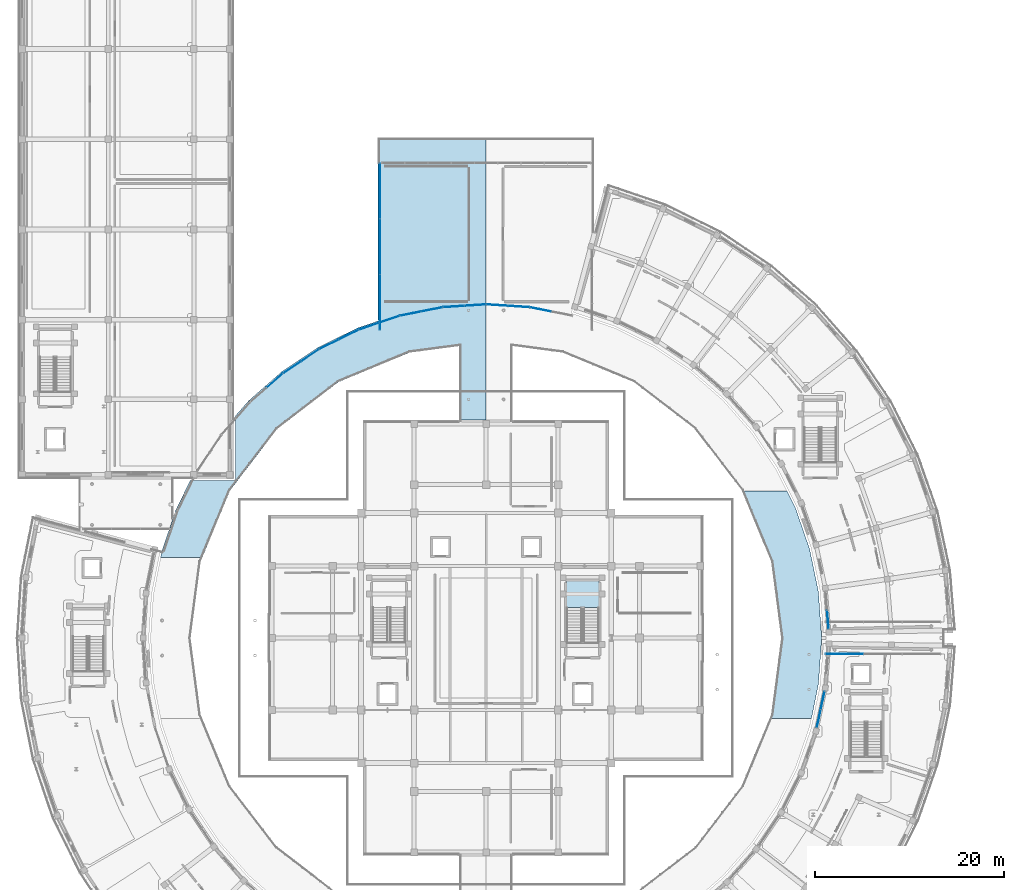
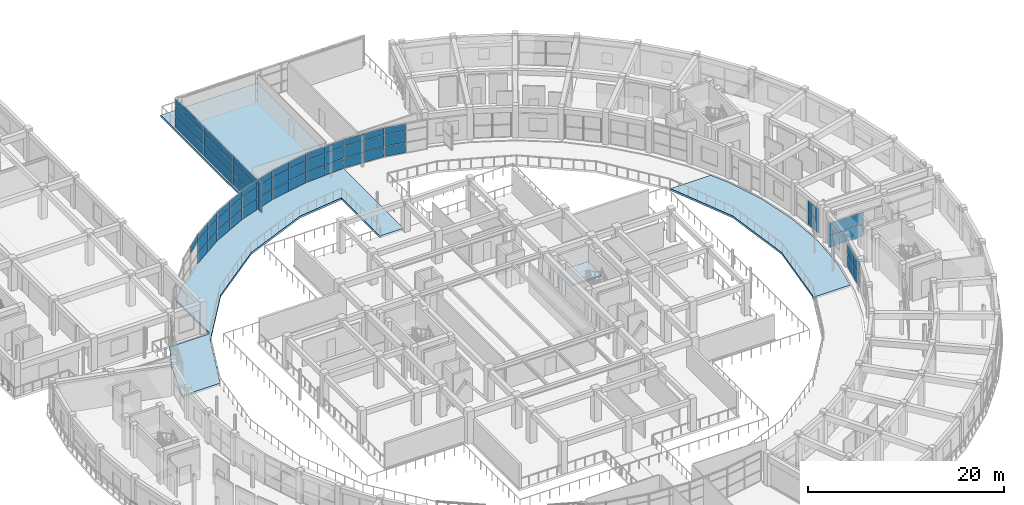
# One storey, part 48 of 83: 57 plates, 3 slabs, 13 elements without a shape of their own.
"""IFC4 building model written with IfcOpenShell, lengths in metres."""

from ifc_helpers import new_model, si_unit, direction, frame, origin, origin_2d, place, context, subcontext, project, spatial, polyline, rectangle, outline, extrude, material, layer, layer_set, type_object, element, aggregate, save


model = new_model("IFC4")

# Units and contexts
model_context = context("Model", 3, precision=1e-05, world=origin(), true_north=direction((0.0, 1.0)))
body_context = subcontext(model_context, "Body", "Model", "MODEL_VIEW")
ifc_project = project(units=[si_unit("LENGTHUNIT", "METRE"), si_unit("AREAUNIT", "SQUARE_METRE"), si_unit("VOLUMEUNIT", "CUBIC_METRE"), si_unit("PLANEANGLEUNIT", "RADIAN"), si_unit("MASSUNIT", "GRAM", prefix="KILO")], contexts=[model_context])

# Site, building, storey
site_placement = place(None, origin())
site = spatial("IfcSite", under=ifc_project, at=site_placement, CompositionType="ELEMENT")
building_placement = place(site_placement, origin())
building = spatial("IfcBuilding", under=site, at=building_placement, Name="Saryqyr Civic Hall", CompositionType="ELEMENT")
storey_placement = place(building_placement, frame((0.0, 0.0, 9.14990234375)))
storey = spatial("IfcBuildingStorey", under=building, at=storey_placement, Name="L02", CompositionType="ELEMENT", Elevation=9.14990234375)

# Curtain wall, plates
ifc_material_1 = material(Name="Anodised aluminium and triple low-E glass", Category="aluminium")
curtain_wall_type_1 = type_object("IfcCurtainWallType", Name="ENV-CW-STD-21", PredefinedType="NOTDEFINED", material=ifc_material_1)
curtain_wall_1_placement = place(storey_placement, origin())
curtain_wall_1 = element("IfcCurtainWall", 1, at=curtain_wall_1_placement, inside=storey, type_object=curtain_wall_type_1, Name="Curtain wall V5-CWI-L02-08", PredefinedType="NOTDEFINED")
ifc_material_2 = material(Name="Triple low-E insulated glazing", Category="glass")
ifc_layer_1 = layer(ifc_material_2, 0.053955078125, Name="Triple low-E insulated glazing")
ifc_layer_set_1 = layer_set([ifc_layer_1], Name="Triple low-E insulated glazing")
plate_type = type_object("IfcPlateType", Name="ENV-CW-PNL-38", PredefinedType="CURTAIN_PANEL", material=ifc_layer_set_1)
plate_1_placement = place(storey_placement, frame((92.122802734375, 75.49560546875, 0.06005859375), z_axis=(0.0, 0.0, 1.0), x_axis=(0.208899296688, 0.97793715741, 0.0)))
plate_1 = element("IfcPlate", 2, at=plate_1_placement, type_object=plate_type, Name="CW-21 panel 1.1", PredefinedType="CURTAIN_PANEL", context=body_context, shape_type="SweptSolid", body=[
    extrude(rectangle(XDim=1.89990234375, YDim=0.053955078125, at=origin_2d()), origin(), (0.0, 0.0, 1.0), 1.491943359375),
])
plate_2_placement = place(storey_placement, frame((92.122802734375, 75.49560546875, 1.6123046875), z_axis=(0.0, 0.0, 1.0), x_axis=(0.208899296688, 0.97793715741, 0.0)))
plate_2 = element("IfcPlate", 3, at=plate_2_placement, type_object=plate_type, Name="CW-21 panel 1.2", PredefinedType="CURTAIN_PANEL", context=body_context, shape_type="SweptSolid", body=[
    extrude(rectangle(XDim=1.89990234375, YDim=0.053955078125, at=origin_2d()), origin(), (0.0, 0.0, 1.0), 1.492919921875),
])
plate_3_placement = place(storey_placement, frame((92.5322265625, 77.412109375, 0.06005859375), z_axis=(0.0, 0.0, 1.0), x_axis=(0.208899296688, 0.97793715741, 0.0)))
plate_3 = element("IfcPlate", 4, at=plate_3_placement, type_object=plate_type, Name="CW-21 panel 2.1", PredefinedType="CURTAIN_PANEL", context=body_context, shape_type="SweptSolid", body=[
    extrude(rectangle(XDim=1.89990234375, YDim=0.053955078125, at=origin_2d()), origin(), (0.0, 0.0, 1.0), 1.491943359375),
])
plate_4_placement = place(storey_placement, frame((92.5322265625, 77.412109375, 1.6123046875), z_axis=(0.0, 0.0, 1.0), x_axis=(0.208899296688, 0.97793715741, 0.0)))
plate_4 = element("IfcPlate", 5, at=plate_4_placement, type_object=plate_type, Name="CW-21 panel 2.2", PredefinedType="CURTAIN_PANEL", context=body_context, shape_type="SweptSolid", body=[
    extrude(rectangle(XDim=1.89990234375, YDim=0.053955078125, at=origin_2d()), origin(), (0.0, 0.0, 1.0), 1.492919921875),
])
aggregate(curtain_wall_1, [plate_1, plate_2, plate_3, plate_4])

curtain_wall_2_placement = place(storey_placement, origin())
curtain_wall_2 = element("IfcCurtainWall", 6, at=curtain_wall_2_placement, inside=storey, type_object=curtain_wall_type_1, Name="Curtain wall V6-CWI-L02-00", PredefinedType="NOTDEFINED")
plate_5_placement = place(storey_placement, frame((93.085205078125, 85.9501953125, 0.06005859375), z_axis=(0.0, 0.0, 1.0), x_axis=(-0.081090889978, 0.996706710905, 0.0)))
plate_5 = element("IfcPlate", 7, at=plate_5_placement, type_object=plate_type, Name="CW-21 panel 1.1", PredefinedType="CURTAIN_PANEL", context=body_context, shape_type="SweptSolid", body=[
    extrude(rectangle(XDim=1.906494140625, YDim=0.053955078125, at=origin_2d()), origin(), (0.0, 0.0, 1.0), 1.491943359375),
])
plate_6_placement = place(storey_placement, frame((93.085205078125, 85.9501953125, 1.6123046875), z_axis=(0.0, 0.0, 1.0), x_axis=(-0.081090889978, 0.996706710905, 0.0)))
plate_6 = element("IfcPlate", 8, at=plate_6_placement, type_object=plate_type, Name="CW-21 panel 1.2", PredefinedType="CURTAIN_PANEL", context=body_context, shape_type="SweptSolid", body=[
    extrude(rectangle(XDim=1.906494140625, YDim=0.053955078125, at=origin_2d()), origin(), (0.0, 0.0, 1.0), 1.492919921875),
])
aggregate(curtain_wall_2, [plate_5, plate_6])

curtain_wall_type_2 = type_object("IfcCurtainWallType", Name="ENV-CW-STD-72", PredefinedType="NOTDEFINED", material=ifc_material_1)
curtain_wall_3_placement = place(storey_placement, origin())
curtain_wall_3 = element("IfcCurtainWall", 9, at=curtain_wall_3_placement, inside=storey, type_object=curtain_wall_type_2, Name="Curtain wall V2-VESTFLK-NW-L02", PredefinedType="NOTDEFINED")
plate_7_placement = place(storey_placement, frame((45.800048828125, 119.456787109375, 0.06005859375), z_axis=(0.0, 0.0, 1.0), x_axis=(0.0, 1.0, 0.0)))
plate_7 = element("IfcPlate", 10, at=plate_7_placement, type_object=plate_type, Name="CW-72 panel 1.1", PredefinedType="CURTAIN_PANEL", context=body_context, shape_type="SweptSolid", body=[
    extrude(rectangle(XDim=5.793212890625, YDim=0.053955078125, at=origin_2d()), origin(), (0.0, 0.0, 1.0), 1.241943359375),
])
plate_8_placement = place(storey_placement, frame((45.800048828125, 119.456787109375, 1.362060546875), z_axis=(0.0, 0.0, 1.0), x_axis=(0.0, 1.0, 0.0)))
plate_8 = element("IfcPlate", 11, at=plate_8_placement, type_object=plate_type, Name="CW-72 panel 1.2", PredefinedType="CURTAIN_PANEL", context=body_context, shape_type="SweptSolid", body=[
    extrude(rectangle(XDim=5.793212890625, YDim=0.053955078125, at=origin_2d()), origin(), (0.0, 0.0, 1.0), 1.419921875),
])
plate_9_placement = place(storey_placement, frame((45.800048828125, 119.456787109375, 2.84228515625), z_axis=(0.0, 0.0, 1.0), x_axis=(0.0, 1.0, 0.0)))
plate_9 = element("IfcPlate", 12, at=plate_9_placement, type_object=plate_type, Name="CW-72 panel 1.3", PredefinedType="CURTAIN_PANEL", context=body_context, shape_type="SweptSolid", body=[
    extrude(rectangle(XDim=5.793212890625, YDim=0.053955078125, at=origin_2d()), origin(), (0.0, 0.0, 1.0), 0.798095703125),
])
plate_10_placement = place(storey_placement, frame((45.800048828125, 125.324951171875, 0.06005859375), z_axis=(0.0, 0.0, 1.0), x_axis=(0.0, 1.0, 0.0)))
plate_10 = element("IfcPlate", 13, at=plate_10_placement, type_object=plate_type, Name="CW-72 panel 2.1", PredefinedType="CURTAIN_PANEL", context=body_context, shape_type="SweptSolid", body=[
    extrude(rectangle(XDim=5.8232421875, YDim=0.053955078125, at=origin_2d()), origin(), (0.0, 0.0, 1.0), 1.241943359375),
])
plate_11_placement = place(storey_placement, frame((45.800048828125, 125.324951171875, 1.362060546875), z_axis=(0.0, 0.0, 1.0), x_axis=(0.0, 1.0, 0.0)))
plate_11 = element("IfcPlate", 14, at=plate_11_placement, type_object=plate_type, Name="CW-72 panel 2.2", PredefinedType="CURTAIN_PANEL", context=body_context, shape_type="SweptSolid", body=[
    extrude(rectangle(XDim=5.8232421875, YDim=0.053955078125, at=origin_2d()), origin(), (0.0, 0.0, 1.0), 1.419921875),
])
plate_12_placement = place(storey_placement, frame((45.800048828125, 125.324951171875, 2.84228515625), z_axis=(0.0, 0.0, 1.0), x_axis=(0.0, 1.0, 0.0)))
plate_12 = element("IfcPlate", 15, at=plate_12_placement, type_object=plate_type, Name="CW-72 panel 2.3", PredefinedType="CURTAIN_PANEL", context=body_context, shape_type="SweptSolid", body=[
    extrude(rectangle(XDim=5.8232421875, YDim=0.053955078125, at=origin_2d()), origin(), (0.0, 0.0, 1.0), 0.798095703125),
])
plate_13_placement = place(storey_placement, frame((45.800048828125, 131.193359375, 0.06005859375), z_axis=(0.0, 0.0, 1.0), x_axis=(0.0, 1.0, 0.0)))
plate_13 = element("IfcPlate", 16, at=plate_13_placement, type_object=plate_type, Name="CW-72 panel 3.1", PredefinedType="CURTAIN_PANEL", context=body_context, shape_type="SweptSolid", body=[
    extrude(rectangle(XDim=5.793212890625, YDim=0.053955078125, at=origin_2d()), origin(), (0.0, 0.0, 1.0), 1.241943359375),
])
plate_14_placement = place(storey_placement, frame((45.800048828125, 131.193359375, 1.362060546875), z_axis=(0.0, 0.0, 1.0), x_axis=(0.0, 1.0, 0.0)))
plate_14 = element("IfcPlate", 17, at=plate_14_placement, type_object=plate_type, Name="CW-72 panel 3.2", PredefinedType="CURTAIN_PANEL", context=body_context, shape_type="SweptSolid", body=[
    extrude(rectangle(XDim=5.793212890625, YDim=0.053955078125, at=origin_2d()), origin(), (0.0, 0.0, 1.0), 1.419921875),
])
plate_15_placement = place(storey_placement, frame((45.800048828125, 131.193359375, 2.84228515625), z_axis=(0.0, 0.0, 1.0), x_axis=(0.0, 1.0, 0.0)))
plate_15 = element("IfcPlate", 18, at=plate_15_placement, type_object=plate_type, Name="CW-72 panel 3.3", PredefinedType="CURTAIN_PANEL", context=body_context, shape_type="SweptSolid", body=[
    extrude(rectangle(XDim=5.793212890625, YDim=0.053955078125, at=origin_2d()), origin(), (0.0, 0.0, 1.0), 0.798095703125),
])
aggregate(curtain_wall_3, [plate_7, plate_8, plate_9, plate_10, plate_11, plate_12, plate_13, plate_14, plate_15])

curtain_wall_type_3 = type_object("IfcCurtainWallType", Name="ENV-CW-STD-74", PredefinedType="NOTDEFINED", material=ifc_material_1)
curtain_wall_4_placement = place(storey_placement, origin())
curtain_wall_4 = element("IfcCurtainWall", 19, at=curtain_wall_4_placement, inside=storey, type_object=curtain_wall_type_3, Name="Curtain wall V2-PERIM-CW-L02-10", PredefinedType="NOTDEFINED")
plate_16_placement = place(storey_placement, frame((62.741455078125, 118.691162109375, 0.06005859375), z_axis=(0.0, 0.0, 1.0), x_axis=(0.980784679507, -0.195093342902, 0.0)))
plate_16 = element("IfcPlate", 20, at=plate_16_placement, type_object=plate_type, Name="CW-74 panel 1.1", PredefinedType="CURTAIN_PANEL", context=body_context, shape_type="SweptSolid", body=[
    extrude(rectangle(XDim=2.213623046875, YDim=0.053955078125, at=origin_2d()), origin(), (0.0, 0.0, 1.0), 1.241943359375),
])
plate_17_placement = place(storey_placement, frame((62.741455078125, 118.691162109375, 1.362060546875), z_axis=(0.0, 0.0, 1.0), x_axis=(0.980784679507, -0.195093342902, 0.0)))
plate_17 = element("IfcPlate", 21, at=plate_17_placement, type_object=plate_type, Name="CW-74 panel 1.2", PredefinedType="CURTAIN_PANEL", context=body_context, shape_type="SweptSolid", body=[
    extrude(rectangle(XDim=2.213623046875, YDim=0.053955078125, at=origin_2d()), origin(), (0.0, 0.0, 1.0), 1.419921875),
])
plate_18_placement = place(storey_placement, frame((62.741455078125, 118.691162109375, 2.84228515625), z_axis=(0.0, 0.0, 1.0), x_axis=(0.980784679507, -0.195093342902, 0.0)))
plate_18 = element("IfcPlate", 22, at=plate_18_placement, type_object=plate_type, Name="CW-74 panel 1.3", PredefinedType="CURTAIN_PANEL", context=body_context, shape_type="SweptSolid", body=[
    extrude(rectangle(XDim=2.213623046875, YDim=0.053955078125, at=origin_2d()), origin(), (0.0, 0.0, 1.0), 0.798095703125),
])
aggregate(curtain_wall_4, [plate_16, plate_17, plate_18])

curtain_wall_5_placement = place(storey_placement, origin())
curtain_wall_5 = element("IfcCurtainWall", 23, at=curtain_wall_5_placement, inside=storey, type_object=curtain_wall_type_3, Name="Curtain wall V2-PERIM-CW-L02-11", PredefinedType="NOTDEFINED")
plate_19_placement = place(storey_placement, frame((58.164306640625, 119.143798828125, 0.06005859375), z_axis=(0.0, 0.0, 1.0), x_axis=(0.997859062814, -0.065400999681, 0.0)))
plate_19 = element("IfcPlate", 24, at=plate_19_placement, type_object=plate_type, Name="CW-74 panel 1.1", PredefinedType="CURTAIN_PANEL", context=body_context, shape_type="SweptSolid", body=[
    extrude(rectangle(XDim=2.21337890625, YDim=0.053955078125, at=origin_2d()), origin(), (0.0, 0.0, 1.0), 1.241943359375),
])
plate_20_placement = place(storey_placement, frame((58.164306640625, 119.143798828125, 1.362060546875), z_axis=(0.0, 0.0, 1.0), x_axis=(0.997859062814, -0.065400999681, 0.0)))
plate_20 = element("IfcPlate", 25, at=plate_20_placement, type_object=plate_type, Name="CW-74 panel 1.2", PredefinedType="CURTAIN_PANEL", context=body_context, shape_type="SweptSolid", body=[
    extrude(rectangle(XDim=2.21337890625, YDim=0.053955078125, at=origin_2d()), origin(), (0.0, 0.0, 1.0), 1.419921875),
])
plate_21_placement = place(storey_placement, frame((58.164306640625, 119.143798828125, 2.84228515625), z_axis=(0.0, 0.0, 1.0), x_axis=(0.997859062814, -0.065400999681, 0.0)))
plate_21 = element("IfcPlate", 26, at=plate_21_placement, type_object=plate_type, Name="CW-74 panel 1.3", PredefinedType="CURTAIN_PANEL", context=body_context, shape_type="SweptSolid", body=[
    extrude(rectangle(XDim=2.21337890625, YDim=0.053955078125, at=origin_2d()), origin(), (0.0, 0.0, 1.0), 0.798095703125),
])
plate_22_placement = place(storey_placement, frame((60.432861328125, 118.9951171875, 0.06005859375), z_axis=(0.0, 0.0, 1.0), x_axis=(0.997859062814, -0.065400999681, 0.0)))
plate_22 = element("IfcPlate", 27, at=plate_22_placement, type_object=plate_type, Name="CW-74 panel 2.1", PredefinedType="CURTAIN_PANEL", context=body_context, shape_type="SweptSolid", body=[
    extrude(rectangle(XDim=2.21337890625, YDim=0.053955078125, at=origin_2d()), origin(), (0.0, 0.0, 1.0), 1.241943359375),
])
plate_23_placement = place(storey_placement, frame((60.432861328125, 118.9951171875, 1.362060546875), z_axis=(0.0, 0.0, 1.0), x_axis=(0.997859062814, -0.065400999681, 0.0)))
plate_23 = element("IfcPlate", 28, at=plate_23_placement, type_object=plate_type, Name="CW-74 panel 2.2", PredefinedType="CURTAIN_PANEL", context=body_context, shape_type="SweptSolid", body=[
    extrude(rectangle(XDim=2.21337890625, YDim=0.053955078125, at=origin_2d()), origin(), (0.0, 0.0, 1.0), 1.419921875),
])
plate_24_placement = place(storey_placement, frame((60.432861328125, 118.9951171875, 2.84228515625), z_axis=(0.0, 0.0, 1.0), x_axis=(0.997859062814, -0.065400999681, 0.0)))
plate_24 = element("IfcPlate", 29, at=plate_24_placement, type_object=plate_type, Name="CW-74 panel 2.3", PredefinedType="CURTAIN_PANEL", context=body_context, shape_type="SweptSolid", body=[
    extrude(rectangle(XDim=2.21337890625, YDim=0.053955078125, at=origin_2d()), origin(), (0.0, 0.0, 1.0), 0.798095703125),
])
aggregate(curtain_wall_5, [plate_19, plate_20, plate_21, plate_22, plate_23, plate_24])

curtain_wall_6_placement = place(storey_placement, origin())
curtain_wall_6 = element("IfcCurtainWall", 30, at=curtain_wall_6_placement, inside=storey, type_object=curtain_wall_type_3, Name="Curtain wall V2-PERIM-CW-L02-12", PredefinedType="NOTDEFINED")
plate_25_placement = place(storey_placement, frame((53.567138671875, 118.9951171875, 0.06005859375), z_axis=(0.0, 0.0, 1.0), x_axis=(0.997859062814, 0.065400999681, 0.0)))
plate_25 = element("IfcPlate", 31, at=plate_25_placement, type_object=plate_type, Name="CW-74 panel 1.1", PredefinedType="CURTAIN_PANEL", context=body_context, shape_type="SweptSolid", body=[
    extrude(rectangle(XDim=2.21337890625, YDim=0.053955078125, at=origin_2d()), origin(), (0.0, 0.0, 1.0), 1.241943359375),
])
plate_26_placement = place(storey_placement, frame((53.567138671875, 118.9951171875, 1.362060546875), z_axis=(0.0, 0.0, 1.0), x_axis=(0.997859062814, 0.065400999681, 0.0)))
plate_26 = element("IfcPlate", 32, at=plate_26_placement, type_object=plate_type, Name="CW-74 panel 1.2", PredefinedType="CURTAIN_PANEL", context=body_context, shape_type="SweptSolid", body=[
    extrude(rectangle(XDim=2.21337890625, YDim=0.053955078125, at=origin_2d()), origin(), (0.0, 0.0, 1.0), 1.419921875),
])
plate_27_placement = place(storey_placement, frame((53.567138671875, 118.9951171875, 2.84228515625), z_axis=(0.0, 0.0, 1.0), x_axis=(0.997859062814, 0.065400999681, 0.0)))
plate_27 = element("IfcPlate", 33, at=plate_27_placement, type_object=plate_type, Name="CW-74 panel 1.3", PredefinedType="CURTAIN_PANEL", context=body_context, shape_type="SweptSolid", body=[
    extrude(rectangle(XDim=2.21337890625, YDim=0.053955078125, at=origin_2d()), origin(), (0.0, 0.0, 1.0), 0.798095703125),
])
plate_28_placement = place(storey_placement, frame((55.835693359375, 119.143798828125, 0.06005859375), z_axis=(0.0, 0.0, 1.0), x_axis=(0.997859062814, 0.065400999681, 0.0)))
plate_28 = element("IfcPlate", 34, at=plate_28_placement, type_object=plate_type, Name="CW-74 panel 2.1", PredefinedType="CURTAIN_PANEL", context=body_context, shape_type="SweptSolid", body=[
    extrude(rectangle(XDim=2.21337890625, YDim=0.053955078125, at=origin_2d()), origin(), (0.0, 0.0, 1.0), 1.241943359375),
])
plate_29_placement = place(storey_placement, frame((55.835693359375, 119.143798828125, 1.362060546875), z_axis=(0.0, 0.0, 1.0), x_axis=(0.997859062814, 0.065400999681, 0.0)))
plate_29 = element("IfcPlate", 35, at=plate_29_placement, type_object=plate_type, Name="CW-74 panel 2.2", PredefinedType="CURTAIN_PANEL", context=body_context, shape_type="SweptSolid", body=[
    extrude(rectangle(XDim=2.21337890625, YDim=0.053955078125, at=origin_2d()), origin(), (0.0, 0.0, 1.0), 1.419921875),
])
plate_30_placement = place(storey_placement, frame((55.835693359375, 119.143798828125, 2.84228515625), z_axis=(0.0, 0.0, 1.0), x_axis=(0.997859062814, 0.065400999681, 0.0)))
plate_30 = element("IfcPlate", 36, at=plate_30_placement, type_object=plate_type, Name="CW-74 panel 2.3", PredefinedType="CURTAIN_PANEL", context=body_context, shape_type="SweptSolid", body=[
    extrude(rectangle(XDim=2.21337890625, YDim=0.053955078125, at=origin_2d()), origin(), (0.0, 0.0, 1.0), 0.798095703125),
])
aggregate(curtain_wall_6, [plate_25, plate_26, plate_27, plate_28, plate_29, plate_30])

curtain_wall_7_placement = place(storey_placement, origin())
curtain_wall_7 = element("IfcCurtainWall", 37, at=curtain_wall_7_placement, inside=storey, type_object=curtain_wall_type_3, Name="Curtain wall V2-PERIM-CW-L02-13", PredefinedType="NOTDEFINED")
plate_31_placement = place(storey_placement, frame((49.02880859375, 118.24755859375, 0.06005859375), z_axis=(0.0, 0.0, 1.0), x_axis=(0.980784679507, 0.195093342902, 0.0)))
plate_31 = element("IfcPlate", 38, at=plate_31_placement, type_object=plate_type, Name="CW-74 panel 1.1", PredefinedType="CURTAIN_PANEL", context=body_context, shape_type="SweptSolid", body=[
    extrude(rectangle(XDim=2.213623046875, YDim=0.053955078125, at=origin_2d()), origin(), (0.0, 0.0, 1.0), 1.241943359375),
])
plate_32_placement = place(storey_placement, frame((49.02880859375, 118.24755859375, 1.362060546875), z_axis=(0.0, 0.0, 1.0), x_axis=(0.980784679507, 0.195093342902, 0.0)))
plate_32 = element("IfcPlate", 39, at=plate_32_placement, type_object=plate_type, Name="CW-74 panel 1.2", PredefinedType="CURTAIN_PANEL", context=body_context, shape_type="SweptSolid", body=[
    extrude(rectangle(XDim=2.213623046875, YDim=0.053955078125, at=origin_2d()), origin(), (0.0, 0.0, 1.0), 1.419921875),
])
plate_33_placement = place(storey_placement, frame((49.02880859375, 118.24755859375, 2.84228515625), z_axis=(0.0, 0.0, 1.0), x_axis=(0.980784679507, 0.195093342902, 0.0)))
plate_33 = element("IfcPlate", 40, at=plate_33_placement, type_object=plate_type, Name="CW-74 panel 1.3", PredefinedType="CURTAIN_PANEL", context=body_context, shape_type="SweptSolid", body=[
    extrude(rectangle(XDim=2.213623046875, YDim=0.053955078125, at=origin_2d()), origin(), (0.0, 0.0, 1.0), 0.798095703125),
])
plate_34_placement = place(storey_placement, frame((51.258544921875, 118.691162109375, 0.06005859375), z_axis=(0.0, 0.0, 1.0), x_axis=(0.980784679507, 0.195093342902, 0.0)))
plate_34 = element("IfcPlate", 41, at=plate_34_placement, type_object=plate_type, Name="CW-74 panel 2.1", PredefinedType="CURTAIN_PANEL", context=body_context, shape_type="SweptSolid", body=[
    extrude(rectangle(XDim=2.213623046875, YDim=0.053955078125, at=origin_2d()), origin(), (0.0, 0.0, 1.0), 1.241943359375),
])
plate_35_placement = place(storey_placement, frame((51.258544921875, 118.691162109375, 1.362060546875), z_axis=(0.0, 0.0, 1.0), x_axis=(0.980784679507, 0.195093342902, 0.0)))
plate_35 = element("IfcPlate", 42, at=plate_35_placement, type_object=plate_type, Name="CW-74 panel 2.2", PredefinedType="CURTAIN_PANEL", context=body_context, shape_type="SweptSolid", body=[
    extrude(rectangle(XDim=2.213623046875, YDim=0.053955078125, at=origin_2d()), origin(), (0.0, 0.0, 1.0), 1.419921875),
])
plate_36_placement = place(storey_placement, frame((51.258544921875, 118.691162109375, 2.84228515625), z_axis=(0.0, 0.0, 1.0), x_axis=(0.980784679507, 0.195093342902, 0.0)))
plate_36 = element("IfcPlate", 43, at=plate_36_placement, type_object=plate_type, Name="CW-74 panel 2.3", PredefinedType="CURTAIN_PANEL", context=body_context, shape_type="SweptSolid", body=[
    extrude(rectangle(XDim=2.213623046875, YDim=0.053955078125, at=origin_2d()), origin(), (0.0, 0.0, 1.0), 0.798095703125),
])
aggregate(curtain_wall_7, [plate_31, plate_32, plate_33, plate_34, plate_35, plate_36])

curtain_wall_8_placement = place(storey_placement, origin())
curtain_wall_8 = element("IfcCurtainWall", 44, at=curtain_wall_8_placement, inside=storey, type_object=curtain_wall_type_3, Name="Curtain wall V2-PERIM-CW-L02-14", PredefinedType="NOTDEFINED")
plate_37_placement = place(storey_placement, frame((44.626708984375, 116.9140625, 0.06005859375), z_axis=(0.0, 0.0, 1.0), x_axis=(0.946928094828, 0.321445459178, 0.0)))
plate_37 = element("IfcPlate", 45, at=plate_37_placement, type_object=plate_type, Name="CW-74 panel 1.1", PredefinedType="CURTAIN_PANEL", context=body_context, shape_type="SweptSolid", body=[
    extrude(rectangle(XDim=2.213623046875, YDim=0.053955078125, at=origin_2d()), origin(), (0.0, 0.0, 1.0), 1.241943359375),
])
plate_38_placement = place(storey_placement, frame((44.626708984375, 116.9140625, 1.362060546875), z_axis=(0.0, 0.0, 1.0), x_axis=(0.946928094828, 0.321445459178, 0.0)))
plate_38 = element("IfcPlate", 46, at=plate_38_placement, type_object=plate_type, Name="CW-74 panel 1.2", PredefinedType="CURTAIN_PANEL", context=body_context, shape_type="SweptSolid", body=[
    extrude(rectangle(XDim=2.213623046875, YDim=0.053955078125, at=origin_2d()), origin(), (0.0, 0.0, 1.0), 1.419921875),
])
plate_39_placement = place(storey_placement, frame((44.626708984375, 116.9140625, 2.84228515625), z_axis=(0.0, 0.0, 1.0), x_axis=(0.946928094828, 0.321445459178, 0.0)))
plate_39 = element("IfcPlate", 47, at=plate_39_placement, type_object=plate_type, Name="CW-74 panel 1.3", PredefinedType="CURTAIN_PANEL", context=body_context, shape_type="SweptSolid", body=[
    extrude(rectangle(XDim=2.213623046875, YDim=0.053955078125, at=origin_2d()), origin(), (0.0, 0.0, 1.0), 0.798095703125),
])
plate_40_placement = place(storey_placement, frame((46.779541015625, 117.644775390625, 0.06005859375), z_axis=(0.0, 0.0, 1.0), x_axis=(0.946928094828, 0.321445459178, 0.0)))
plate_40 = element("IfcPlate", 48, at=plate_40_placement, type_object=plate_type, Name="CW-74 panel 2.1", PredefinedType="CURTAIN_PANEL", context=body_context, shape_type="SweptSolid", body=[
    extrude(rectangle(XDim=2.213623046875, YDim=0.053955078125, at=origin_2d()), origin(), (0.0, 0.0, 1.0), 1.241943359375),
])
plate_41_placement = place(storey_placement, frame((46.779541015625, 117.644775390625, 1.362060546875), z_axis=(0.0, 0.0, 1.0), x_axis=(0.946928094828, 0.321445459178, 0.0)))
plate_41 = element("IfcPlate", 49, at=plate_41_placement, type_object=plate_type, Name="CW-74 panel 2.2", PredefinedType="CURTAIN_PANEL", context=body_context, shape_type="SweptSolid", body=[
    extrude(rectangle(XDim=2.213623046875, YDim=0.053955078125, at=origin_2d()), origin(), (0.0, 0.0, 1.0), 1.419921875),
])
plate_42_placement = place(storey_placement, frame((46.779541015625, 117.644775390625, 2.84228515625), z_axis=(0.0, 0.0, 1.0), x_axis=(0.946928094828, 0.321445459178, 0.0)))
plate_42 = element("IfcPlate", 50, at=plate_42_placement, type_object=plate_type, Name="CW-74 panel 2.3", PredefinedType="CURTAIN_PANEL", context=body_context, shape_type="SweptSolid", body=[
    extrude(rectangle(XDim=2.213623046875, YDim=0.053955078125, at=origin_2d()), origin(), (0.0, 0.0, 1.0), 0.798095703125),
])
aggregate(curtain_wall_8, [plate_37, plate_38, plate_39, plate_40, plate_41, plate_42])

curtain_wall_9_placement = place(storey_placement, origin())
curtain_wall_9 = element("IfcCurtainWall", 51, at=curtain_wall_9_placement, inside=storey, type_object=curtain_wall_type_3, Name="Curtain wall V2-PERIM-CW-L02-15", PredefinedType="NOTDEFINED")
plate_43_placement = place(storey_placement, frame((40.4365234375, 115.017333984375, 0.06005859375), z_axis=(0.0, 0.0, 1.0), x_axis=(0.896875116746, 0.442283873729, 0.0)))
plate_43 = element("IfcPlate", 52, at=plate_43_placement, type_object=plate_type, Name="CW-74 panel 1.1", PredefinedType="CURTAIN_PANEL", context=body_context, shape_type="SweptSolid", body=[
    extrude(rectangle(XDim=2.21337890625, YDim=0.053955078125, at=origin_2d()), origin(), (0.0, 0.0, 1.0), 1.241943359375),
])
plate_44_placement = place(storey_placement, frame((40.4365234375, 115.017333984375, 1.362060546875), z_axis=(0.0, 0.0, 1.0), x_axis=(0.896875116746, 0.442283873729, 0.0)))
plate_44 = element("IfcPlate", 53, at=plate_44_placement, type_object=plate_type, Name="CW-74 panel 1.2", PredefinedType="CURTAIN_PANEL", context=body_context, shape_type="SweptSolid", body=[
    extrude(rectangle(XDim=2.21337890625, YDim=0.053955078125, at=origin_2d()), origin(), (0.0, 0.0, 1.0), 1.419921875),
])
plate_45_placement = place(storey_placement, frame((40.4365234375, 115.017333984375, 2.84228515625), z_axis=(0.0, 0.0, 1.0), x_axis=(0.896875116746, 0.442283873729, 0.0)))
plate_45 = element("IfcPlate", 54, at=plate_45_placement, type_object=plate_type, Name="CW-74 panel 1.3", PredefinedType="CURTAIN_PANEL", context=body_context, shape_type="SweptSolid", body=[
    extrude(rectangle(XDim=2.21337890625, YDim=0.053955078125, at=origin_2d()), origin(), (0.0, 0.0, 1.0), 0.798095703125),
])
plate_46_placement = place(storey_placement, frame((42.4755859375, 116.02294921875, 0.06005859375), z_axis=(0.0, 0.0, 1.0), x_axis=(0.896875116746, 0.442283873729, 0.0)))
plate_46 = element("IfcPlate", 55, at=plate_46_placement, type_object=plate_type, Name="CW-74 panel 2.1", PredefinedType="CURTAIN_PANEL", context=body_context, shape_type="SweptSolid", body=[
    extrude(rectangle(XDim=2.21337890625, YDim=0.053955078125, at=origin_2d()), origin(), (0.0, 0.0, 1.0), 1.241943359375),
])
plate_47_placement = place(storey_placement, frame((42.4755859375, 116.02294921875, 1.362060546875), z_axis=(0.0, 0.0, 1.0), x_axis=(0.896875116746, 0.442283873729, 0.0)))
plate_47 = element("IfcPlate", 56, at=plate_47_placement, type_object=plate_type, Name="CW-74 panel 2.2", PredefinedType="CURTAIN_PANEL", context=body_context, shape_type="SweptSolid", body=[
    extrude(rectangle(XDim=2.21337890625, YDim=0.053955078125, at=origin_2d()), origin(), (0.0, 0.0, 1.0), 1.419921875),
])
plate_48_placement = place(storey_placement, frame((42.4755859375, 116.02294921875, 2.84228515625), z_axis=(0.0, 0.0, 1.0), x_axis=(0.896875116746, 0.442283873729, 0.0)))
plate_48 = element("IfcPlate", 57, at=plate_48_placement, type_object=plate_type, Name="CW-74 panel 2.3", PredefinedType="CURTAIN_PANEL", context=body_context, shape_type="SweptSolid", body=[
    extrude(rectangle(XDim=2.21337890625, YDim=0.053955078125, at=origin_2d()), origin(), (0.0, 0.0, 1.0), 0.798095703125),
])
aggregate(curtain_wall_9, [plate_43, plate_44, plate_45, plate_46, plate_47, plate_48])

curtain_wall_10_placement = place(storey_placement, origin())
curtain_wall_10 = element("IfcCurtainWall", 58, at=curtain_wall_10_placement, inside=storey, type_object=curtain_wall_type_3, Name="Curtain wall V2-PERIM-CW-L02-16", PredefinedType="NOTDEFINED")
plate_49_placement = place(storey_placement, frame((36.529541015625, 112.590087890625, 0.06005859375), z_axis=(0.0, 0.0, 1.0), x_axis=(0.831472128078, 0.555566467877, 0.0)))
plate_49 = element("IfcPlate", 59, at=plate_49_placement, type_object=plate_type, Name="CW-74 panel 1.1", PredefinedType="CURTAIN_PANEL", context=body_context, shape_type="SweptSolid", body=[
    extrude(rectangle(XDim=2.213623046875, YDim=0.053955078125, at=origin_2d()), origin(), (0.0, 0.0, 1.0), 1.241943359375),
])
plate_50_placement = place(storey_placement, frame((36.529541015625, 112.590087890625, 1.362060546875), z_axis=(0.0, 0.0, 1.0), x_axis=(0.831472128078, 0.555566467877, 0.0)))
plate_50 = element("IfcPlate", 60, at=plate_50_placement, type_object=plate_type, Name="CW-74 panel 1.2", PredefinedType="CURTAIN_PANEL", context=body_context, shape_type="SweptSolid", body=[
    extrude(rectangle(XDim=2.213623046875, YDim=0.053955078125, at=origin_2d()), origin(), (0.0, 0.0, 1.0), 1.419921875),
])
plate_51_placement = place(storey_placement, frame((36.529541015625, 112.590087890625, 2.84228515625), z_axis=(0.0, 0.0, 1.0), x_axis=(0.831472128078, 0.555566467877, 0.0)))
plate_51 = element("IfcPlate", 61, at=plate_51_placement, type_object=plate_type, Name="CW-74 panel 1.3", PredefinedType="CURTAIN_PANEL", context=body_context, shape_type="SweptSolid", body=[
    extrude(rectangle(XDim=2.213623046875, YDim=0.053955078125, at=origin_2d()), origin(), (0.0, 0.0, 1.0), 0.798095703125),
])
plate_52_placement = place(storey_placement, frame((38.419921875, 113.853271484375, 0.06005859375), z_axis=(0.0, 0.0, 1.0), x_axis=(0.831472128078, 0.555566467877, 0.0)))
plate_52 = element("IfcPlate", 62, at=plate_52_placement, type_object=plate_type, Name="CW-74 panel 2.1", PredefinedType="CURTAIN_PANEL", context=body_context, shape_type="SweptSolid", body=[
    extrude(rectangle(XDim=2.213623046875, YDim=0.053955078125, at=origin_2d()), origin(), (0.0, 0.0, 1.0), 1.241943359375),
])
plate_53_placement = place(storey_placement, frame((38.419921875, 113.853271484375, 1.362060546875), z_axis=(0.0, 0.0, 1.0), x_axis=(0.831472128078, 0.555566467877, 0.0)))
plate_53 = element("IfcPlate", 63, at=plate_53_placement, type_object=plate_type, Name="CW-74 panel 2.2", PredefinedType="CURTAIN_PANEL", context=body_context, shape_type="SweptSolid", body=[
    extrude(rectangle(XDim=2.213623046875, YDim=0.053955078125, at=origin_2d()), origin(), (0.0, 0.0, 1.0), 1.419921875),
])
plate_54_placement = place(storey_placement, frame((38.419921875, 113.853271484375, 2.84228515625), z_axis=(0.0, 0.0, 1.0), x_axis=(0.831472128078, 0.555566467877, 0.0)))
plate_54 = element("IfcPlate", 64, at=plate_54_placement, type_object=plate_type, Name="CW-74 panel 2.3", PredefinedType="CURTAIN_PANEL", context=body_context, shape_type="SweptSolid", body=[
    extrude(rectangle(XDim=2.213623046875, YDim=0.053955078125, at=origin_2d()), origin(), (0.0, 0.0, 1.0), 0.798095703125),
])
aggregate(curtain_wall_10, [plate_49, plate_50, plate_51, plate_52, plate_53, plate_54])

# Curtain wall, plate
curtain_wall_11_placement = place(storey_placement, origin())
curtain_wall_11 = element("IfcCurtainWall", 65, at=curtain_wall_11_placement, inside=storey, type_object=curtain_wall_type_3, Name="Curtain wall V2-PERIM-CW-L02-17", PredefinedType="NOTDEFINED")
plate_55_placement = place(storey_placement, frame((34.68212890625, 111.172607421875, 2.84228515625), z_axis=(0.0, 0.0, 1.0), x_axis=(0.751838018573, 0.659347854951, 0.0)))
plate_55 = element("IfcPlate", 66, at=plate_55_placement, type_object=plate_type, Name="CW-74 panel 2.3", PredefinedType="CURTAIN_PANEL", context=body_context, shape_type="SweptSolid", body=[
    extrude(rectangle(XDim=2.21337890625, YDim=0.053955078125, at=origin_2d()), origin(), (0.0, 0.0, 1.0), 0.798095703125),
])
aggregate(curtain_wall_11, [plate_55])

# Curtain wall, plates
curtain_wall_type_4 = type_object("IfcCurtainWallType", Name="ENV-CW-STD-81", PredefinedType="NOTDEFINED", material=ifc_material_1)
curtain_wall_12_placement = place(storey_placement, origin())
curtain_wall_12 = element("IfcCurtainWall", 67, at=curtain_wall_12_placement, inside=storey, type_object=curtain_wall_type_4, Name="Curtain wall BR-E-CW1-L02", PredefinedType="NOTDEFINED")
plate_56_placement = place(storey_placement, frame((94.848388671875, 82.320068359375, 0.06005859375), z_axis=(0.0, 0.0, 1.0), x_axis=(-1.0, 0.0, 0.0)))
plate_56 = element("IfcPlate", 68, at=plate_56_placement, type_object=plate_type, Name="CW-81 panel 3.1", PredefinedType="CURTAIN_PANEL", context=body_context, shape_type="SweptSolid", body=[
    extrude(rectangle(XDim=3.9765625, YDim=0.053955078125, at=origin_2d()), origin(), (0.0, 0.0, 1.0), 1.4599609375),
])
plate_57_placement = place(storey_placement, frame((94.848388671875, 82.320068359375, 1.580078125), z_axis=(0.0, 0.0, 1.0), x_axis=(-1.0, 0.0, 0.0)))
plate_57 = element("IfcPlate", 69, at=plate_57_placement, type_object=plate_type, Name="CW-81 panel 3.2", PredefinedType="CURTAIN_PANEL", context=body_context, shape_type="SweptSolid", body=[
    extrude(rectangle(XDim=3.9765625, YDim=0.053955078125, at=origin_2d()), origin(), (0.0, 0.0, 1.0), 1.4599609375),
])
aggregate(curtain_wall_12, [plate_56, plate_57])

# Slabs
ifc_material_3 = material(Name="Concrete C35/45", Category="concrete")
ifc_layer_2 = layer(ifc_material_3, 0.25, Name="Concrete C35/45")
ifc_layer_set_2 = layer_set([ifc_layer_2], Name="Concrete C35/45")
slab_type_1 = type_object("IfcSlabType", Name="STR-SLB-FLR-250", PredefinedType="FLOOR", material=ifc_layer_set_2)
slab_1_placement = place(storey_placement, frame((0.0, 0.0, -0.25)))
element("IfcSlab", 70, at=slab_1_placement, inside=storey, type_object=slab_type_1, Name="Slab SLB-V2NW-L02", PredefinedType="FLOOR", context=body_context, shape_type="SweptSolid", body=[
    extrude(outline(polyline([(30.39990234375, 100.639892578125), (30.51318359375, 100.68701171875), (30.56005859375, 100.800048828125), (30.56005859375, 107.486083984375), (31.940185546875, 109.059814453125), (35.425537109375, 112.116455078125), (39.280029296875, 114.69189453125), (43.437744140625, 116.7421875), (45.964599609375, 117.60009765625), (45.60009765625, 117.60009765625), (45.60009765625, 136.800048828125), (57.0, 136.800048828125), (57.0, 107.0), (54.199951171875, 107.0), (54.199951171875, 114.831298828125), (48.9248046875, 114.136962890625), (41.39990234375, 111.02001953125), (34.938232421875, 106.061767578125), (29.97998046875, 99.60009765625), (27.0390625, 92.5), (22.634033203125, 92.5), (22.768310546875, 93.174560546875), (24.2578125, 97.562255859375), (25.775390625, 100.639892578125), (30.39990234375, 100.639892578125)])), origin(), (0.0, 0.0, 1.0), 0.25),
])
slab_2_placement = place(storey_placement, frame((0.0, 0.0, -0.25)))
element("IfcSlab", 71, at=slab_2_placement, inside=storey, type_object=slab_type_1, Name="Slab SLB-V2E-L02", PredefinedType="FLOOR", context=body_context, shape_type="SweptSolid", body=[
    extrude(outline(polyline([(89.66748046875, 97.714111328125), (91.16455078125, 93.372314453125), (92.08740234375, 88.873779296875), (92.43994140625, 84.0), (92.091064453125, 79.143798828125), (91.352783203125, 75.5), (86.9609375, 75.5), (87.136962890625, 75.9248046875), (88.199951171875, 84.0), (87.136962890625, 92.0751953125), (84.061279296875, 99.5), (88.78662109375, 99.5), (89.66748046875, 97.714111328125)])), origin(), (0.0, 0.0, 1.0), 0.25),
])

# Stair, slab
stair_type = type_object("IfcStairType", Name="INT-STR-ST-2", PredefinedType="HALF_TURN_STAIR", material=ifc_material_3)
stair_placement = place(storey_placement, origin())
stair = element("IfcStair", 72, at=stair_placement, inside=storey, type_object=stair_type, Name="L02 Protected Exit Stair ST-2", PredefinedType="HALF_TURN_STAIR")
ifc_layer_3 = layer(ifc_material_3, 0.199951171875, Name="Concrete C35/45")
ifc_layer_set_3 = layer_set([ifc_layer_3], Name="Concrete C35/45")
slab_type_2 = type_object("IfcSlabType", Name="STR-SLB-LND-200", PredefinedType="LANDING", material=ifc_layer_set_3)
slab_3_placement = place(storey_placement, frame((0.0, 0.0, 1.8251953125)))
slab_3 = element("IfcSlab", 73, at=slab_3_placement, type_object=slab_type_2, Name="ST-2 landing 1", PredefinedType="LANDING", context=body_context, shape_type="SweptSolid", body=[
    extrude(outline(polyline([(68.89990234375, 87.199951171875), (68.89990234375, 90.0), (65.5, 90.0), (65.5, 87.199951171875), (68.89990234375, 87.199951171875)])), origin(), (0.0, 0.0, 1.0), 0.199951171875),
])
aggregate(stair, [slab_3])

save(model, "model.ifc")
